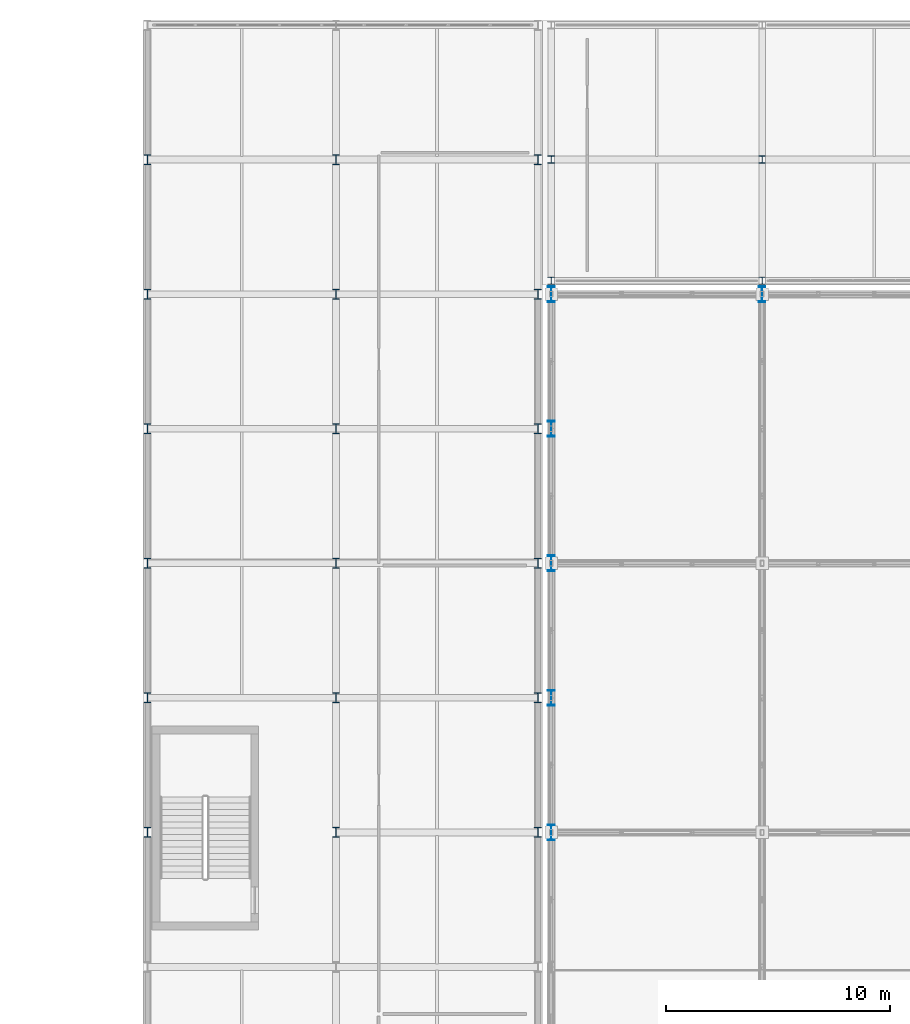
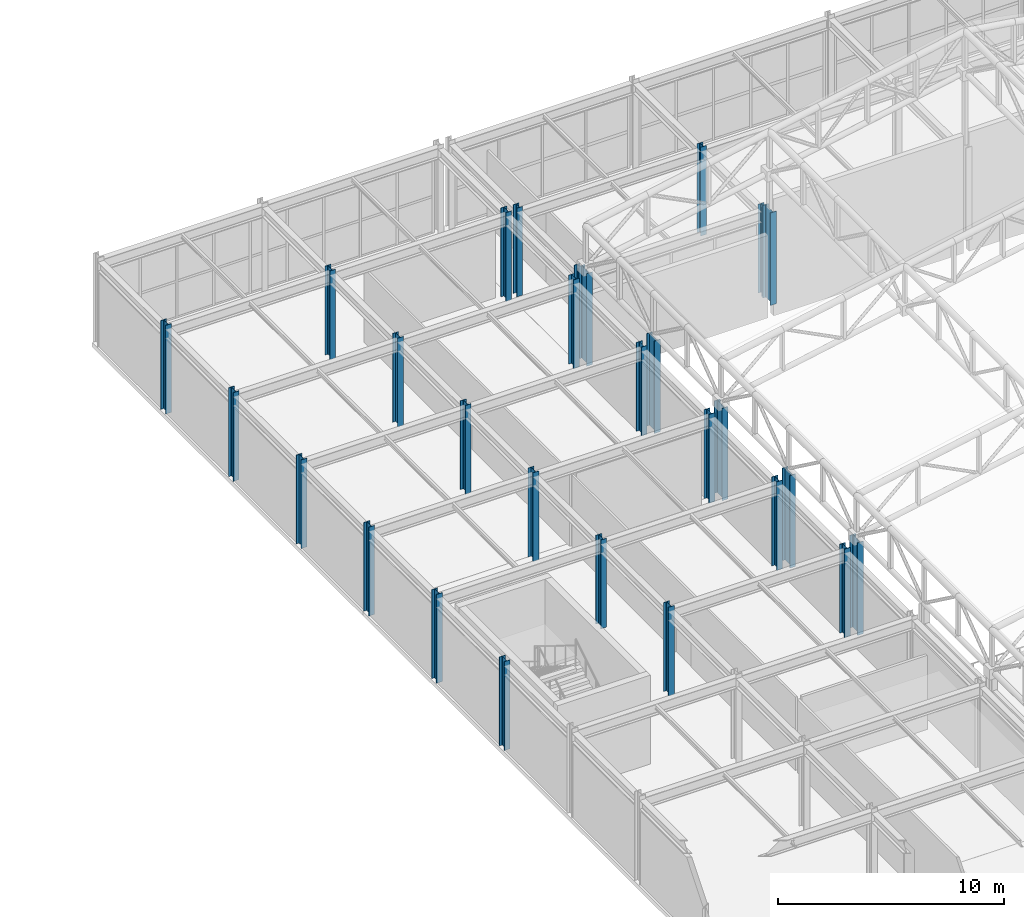
# One storey, part 7 of 112: 28 columns.
"""IFC4 building model written with IfcOpenShell, lengths in metres."""

import ifcopenshell
import ifcopenshell.guid

model = None  # the IFC model being written
_history = None  # IfcOwnerHistory: only IFC2X3 demands one
_inside = {}  # id of a spatial element -> (the spatial element, [elements in it])
_under = {}  # id of a project, library or spatial element -> (it, [spatial elements below it])
_declared = {}  # id of a project -> (the project, [libraries it declares])
_typed = {}  # id of a type object -> (the type object, [elements of that type])
_made_of = {}  # id of a material, layer set ... -> (it, [elements and type objects made of it])


def new_model(schema):
    """Start an empty IFC model of exactly this schema.

    Asked for "IFC4X3", IfcOpenShell would pick the latest addendum, in which some entities
    have other attributes; the version numbers below select the first issue.
    IFC2X3 requires an IfcOwnerHistory on every rooted entity: one is made here for all.
    """
    global model, _history
    if schema == "IFC4X3":
        model = ifcopenshell.file(schema_version=(4, 3, 0, 0))
    else:
        model = ifcopenshell.file(schema=schema)
    _inside.clear()
    _under.clear()
    _declared.clear()
    _typed.clear()
    _made_of.clear()
    _history = None
    if model.schema == "IFC2X3":
        org = make("IfcOrganization", Name="unknown")
        user = make(
            "IfcPersonAndOrganization",
            ThePerson=make("IfcPerson", FamilyName="unknown"),
            TheOrganization=org,
        )
        app = make(
            "IfcApplication",
            ApplicationDeveloper=org,
            Version="unknown",
            ApplicationFullName="unknown",
            ApplicationIdentifier="unknown",
        )
        _history = make(
            "IfcOwnerHistory",
            OwningUser=user,
            OwningApplication=app,
            ChangeAction="ADDED",
            CreationDate=0,
        )
    return model


def make(cls, **values):
    """One entity of the class cls with the attributes given. An attribute that is None is left unset."""
    return model.create_entity(
        cls, **{name: value for name, value in values.items() if value is not None}
    )


def rooted(cls, **values):
    """An entity with a GlobalId (a new one), such as an element, a storey or a relation."""
    return make(cls, GlobalId=ifcopenshell.guid.new(), OwnerHistory=_history, **values)


def si_unit(unit_type, name, prefix=None):
    """IfcSIUnit, for example si_unit("LENGTHUNIT", "METRE", prefix="MILLI")."""
    return make("IfcSIUnit", UnitType=unit_type, Prefix=prefix, Name=name)


def assignment(units):
    """IfcUnitAssignment: the units of a project."""
    return None if units is None else make("IfcUnitAssignment", Units=units)


def point(xyz):
    """IfcCartesianPoint."""
    return None if xyz is None else make("IfcCartesianPoint", Coordinates=xyz)


def direction(xyz):
    """IfcDirection."""
    return None if xyz is None else make("IfcDirection", DirectionRatios=xyz)


def frame(location, z_axis=None, x_axis=None):
    """IfcAxis2Placement3D, a coordinate frame: its origin and axes. An axis left out is left unset."""
    return make(
        "IfcAxis2Placement3D",
        Location=point(location),
        Axis=direction(z_axis),
        RefDirection=direction(x_axis),
    )


def frame_2d(location, x_axis=None):
    """IfcAxis2Placement2D, a coordinate frame in the plane: its origin and x axis."""
    return make(
        "IfcAxis2Placement2D", Location=point(location), RefDirection=direction(x_axis)
    )


def origin():
    """The frame at (0, 0, 0) with its axes left unset."""
    return frame((0.0, 0.0, 0.0))


def origin_2d():
    """The frame at (0, 0) in the plane with its x axis left unset."""
    return frame_2d((0.0, 0.0))


def place(relative_to, where):
    """IfcLocalPlacement: puts the frame where relative to a parent placement (None: the world)."""
    return make(
        "IfcLocalPlacement", PlacementRelTo=relative_to, RelativePlacement=where
    )


def context(
    kind, dimensions, precision=None, world=None, true_north=None, identifier=None
):
    """IfcGeometricRepresentationContext, for example the 3D "Model" context."""
    return make(
        "IfcGeometricRepresentationContext",
        ContextIdentifier=identifier,
        ContextType=kind,
        CoordinateSpaceDimension=dimensions,
        Precision=precision,
        WorldCoordinateSystem=world,
        TrueNorth=true_north,
    )


def subcontext(parent, identifier, kind, view, scale=None):
    """IfcGeometricRepresentationSubContext, for example "Body" below "Model"."""
    return make(
        "IfcGeometricRepresentationSubContext",
        ContextIdentifier=identifier,
        ContextType=kind,
        ParentContext=parent,
        TargetScale=scale,
        TargetView=view,
    )


def project(units=None, contexts=None):
    """IfcProject with its units and contexts."""
    return rooted(
        "IfcProject",
        Name="project",
        RepresentationContexts=contexts,
        UnitsInContext=assignment(units),
    )


def spatial(cls, under=None, at=None, **own):
    """A site, building, storey or space (cls), placed at a placement, below another one or the project."""
    s = rooted(cls, ObjectPlacement=at, **own)
    if under is not None:
        _under.setdefault(under.id(), (under, []))[1].append(s)
    return s


def profile(cls, at=None, kind="AREA", **sizes):
    """A parametric profile (cls). Its sizes go by their IFC names, for example OverallWidth=200.0."""
    return make(cls, ProfileType=kind, Position=at, **sizes)


def i_section(**sizes):
    """IfcIShapeProfileDef."""
    return profile("IfcIShapeProfileDef", **sizes)


def extrude(swept, where, along, depth):
    """IfcExtrudedAreaSolid: the profile swept, set in the frame where, extruded along a direction by depth."""
    return make(
        "IfcExtrudedAreaSolid",
        SweptArea=swept,
        Position=where,
        ExtrudedDirection=direction(along),
        Depth=depth,
    )


def shape(context_of_items, identifier, shape_type, items):
    """IfcShapeRepresentation: the items that make up one representation, for example the "Body"."""
    return make(
        "IfcShapeRepresentation",
        ContextOfItems=context_of_items,
        RepresentationIdentifier=identifier,
        RepresentationType=shape_type,
        Items=items,
    )


def material(Name=None, Category=None):
    """IfcMaterial."""
    return make("IfcMaterial", Name=Name, Category=Category)


def material_profile(
    of_material, cross_section, Name=None, Category=None, Priority=None
):
    """IfcMaterialProfile: a cross section and its material."""
    return make(
        "IfcMaterialProfile",
        Name=Name,
        Material=of_material,
        Profile=cross_section,
        Priority=Priority,
        Category=Category,
    )


def profile_set(profiles, Name=None, composite=None):
    """IfcMaterialProfileSet."""
    return make(
        "IfcMaterialProfileSet",
        Name=Name,
        MaterialProfiles=profiles,
        CompositeProfile=composite,
    )


def made_of(thing, what):
    """Note that an element or type object is made of a material, layer set ...; save() writes the relation."""
    if what is not None:
        _made_of.setdefault(what.id(), (what, []))[1].append(thing)
    return thing


def type_object(cls, material=None, **own):
    """A type object (cls), such as IfcWallType, which elements share."""
    return made_of(rooted(cls, **own), material)


def element(
    cls,
    number,
    at=None,
    inside=None,
    cuts=None,
    type_object=None,
    material=None,
    context=None,
    identifier="Body",
    shape_type=None,
    held_by="IfcProductDefinitionShape",
    body=None,
    shapes=None,
    **own,
):
    """One element of the class cls, such as IfcWall. Its Tag is "e" and its number.

    at: its placement. inside: the storey or other place that contains it. cuts: it is an
    opening in that element (IfcRelVoidsElement). A single representation is given by context,
    identifier, shape_type and body (its items); several are given by shapes. held_by: the class
    of the entity that holds the representations. save() writes the other relations.
    """
    e = rooted(cls, Tag="e%d" % number, ObjectPlacement=at, **own)
    if body is not None:
        shapes = [shape(context, identifier, shape_type, body)]
    if shapes is not None:
        e.Representation = make(held_by, Representations=shapes)
    if inside is not None:
        _inside.setdefault(inside.id(), (inside, []))[1].append(e)
    if cuts is not None:
        rooted(
            "IfcRelVoidsElement", RelatingBuildingElement=cuts, RelatedOpeningElement=e
        )
    if type_object is not None:
        _typed.setdefault(type_object.id(), (type_object, []))[1].append(e)
    return made_of(e, material)


def aggregate(whole, parts):
    """IfcRelAggregates: a whole, such as a stair, and the parts it consists of."""
    return rooted("IfcRelAggregates", RelatingObject=whole, RelatedObjects=parts)


def save(model, path):
    """Write the relations noted so far, then the file.

    IfcRelAggregates (storeys below a building ...), IfcRelContainedInSpatialStructure (elements
    in a storey), IfcRelDefinesByType, IfcRelAssociatesMaterial and IfcRelDeclares: one each for
    every whole, place, type object, material and project.
    """
    for whole, parts in _under.values():
        aggregate(whole, parts)
    for where, things in _inside.values():
        rooted(
            "IfcRelContainedInSpatialStructure",
            RelatedElements=things,
            RelatingStructure=where,
        )
    for kind, things in _typed.values():
        rooted("IfcRelDefinesByType", RelatedObjects=things, RelatingType=kind)
    for what, things in _made_of.values():
        rooted("IfcRelAssociatesMaterial", RelatedObjects=things, RelatingMaterial=what)
    for by, libraries in _declared.values():
        rooted("IfcRelDeclares", RelatingContext=by, RelatedDefinitions=libraries)
    model.write(path)


model = new_model("IFC4")

# Units and contexts
model_context = context("Model", 3, precision=1e-05, world=origin(), true_north=direction((0.0, 1.0)))
body_context = subcontext(model_context, "Body", "Model", "MODEL_VIEW")
ifc_project = project(units=[si_unit("LENGTHUNIT", "METRE"), si_unit("AREAUNIT", "SQUARE_METRE"), si_unit("VOLUMEUNIT", "CUBIC_METRE"), si_unit("PLANEANGLEUNIT", "RADIAN"), si_unit("MASSUNIT", "GRAM", prefix="KILO")], contexts=[model_context])

# Site, building, storey
site_placement = place(None, origin())
site = spatial("IfcSite", under=ifc_project, at=site_placement, CompositionType="ELEMENT")
building_placement = place(site_placement, origin())
building = spatial("IfcBuilding", under=site, at=building_placement, Name="Kaldris Quays Convention Centre", CompositionType="ELEMENT")
storey_placement = place(building_placement, frame((0.0, 0.0, 16.800048828125)))
storey = spatial("IfcBuildingStorey", under=building, at=storey_placement, Name="L03", CompositionType="ELEMENT", Elevation=16.800048828125)

# Columns
ifc_material = material(Name="Steel S355J2", Category="steel")
ifc_material_profile_1 = material_profile(ifc_material, i_section(OverallWidth=0.300048828125, OverallDepth=0.699951171875, WebThickness=0.01708984375, FlangeThickness=0.031982421875, FilletRadius=0.027099609375, at=origin_2d()), Name="HEB 700")
ifc_profile_set_1 = profile_set([ifc_material_profile_1], Name="Steel S355J2")
column_type_1 = type_object("IfcColumnType", Name="STRUCTURAL COLUMN CL05", PredefinedType="COLUMN", material=ifc_profile_set_1)
for number, where, z_axis, x_axis, name in (
    (1, (164.60009765625, 80.0, 0.0), (0.0, 0.0, 1.0), (1.0, 0.0, 0.0), "L03 V2 Column CL05 (164.60, 80.00)"),
    (2, (164.60009765625, 86.0, 0.0), (0.0, 0.0, 1.0), (1.0, 0.0, 0.0), "L03 V2 Column CL05 (164.60, 86.00)"),
    (3, (164.60009765625, 92.0, 0.0), (0.0, 0.0, 1.0), (1.0, 0.0, 0.0), "L03 V2 Column CL05 (164.60, 92.00)"),
    (4, (164.60009765625, 98.0, 0.0), (0.0, 0.0, 1.0), (1.0, 0.0, 0.0), "L03 V2 Column CL05 (164.60, 98.00)"),
    (5, (164.60009765625, 104.0, 0.0), (0.0, 0.0, 1.0), (1.0, 0.0, 0.0), "L03 V2 Column CL05 (164.60, 104.00)"),
    (6, (174.0, 104.0, 0.0), (0.0, 0.0, 1.0), (1.0, 0.0, 0.0), "L03 V2 Column CL05 (174.00, 104.00)"),
):
    element("IfcColumn", number, at=place(storey_placement, frame(where, z_axis=z_axis, x_axis=x_axis)), inside=storey, type_object=column_type_1, Name=name, PredefinedType="COLUMN", context=body_context, shape_type="SweptSolid", body=[
        extrude(i_section(OverallWidth=0.300048828125, OverallDepth=0.699951171875, WebThickness=0.01708984375, FlangeThickness=0.031982421875, FilletRadius=0.027099609375, at=origin_2d()), origin(), (0.0, 0.0, 1.0), 5.0),
    ])
ifc_material_profile_2 = material_profile(ifc_material, i_section(OverallWidth=0.300048828125, OverallDepth=0.449951171875, WebThickness=0.013916015625, FlangeThickness=0.02587890625, FilletRadius=0.027099609375, at=origin_2d()), Name="HEB 450")
ifc_profile_set_2 = profile_set([ifc_material_profile_2], Name="Steel S355J2")
column_type_2 = type_object("IfcColumnType", Name="STRUCTURAL COLUMN CL08", PredefinedType="COLUMN", material=ifc_profile_set_2)
for number, where, z_axis, x_axis, name in (
    (7, (146.60009765625, 80.0, 0.0), (0.0, 0.0, 1.0), (1.0, 0.0, 0.0), "L03 V4 Column CL08 (146.60, 80.00)"),
    (8, (146.60009765625, 86.0, 0.0), (0.0, 0.0, 1.0), (1.0, 0.0, 0.0), "L03 V4 Column CL08 (146.60, 86.00)"),
    (9, (146.60009765625, 92.0, 0.0), (0.0, 0.0, 1.0), (1.0, 0.0, 0.0), "L03 V4 Column CL08 (146.60, 92.00)"),
    (10, (146.60009765625, 98.0, 0.0), (0.0, 0.0, 1.0), (1.0, 0.0, 0.0), "L03 V4 Column CL08 (146.60, 98.00)"),
    (11, (146.60009765625, 104.0, 0.0), (0.0, 0.0, 1.0), (1.0, 0.0, 0.0), "L03 V4 Column CL08 (146.60, 104.00)"),
    (12, (146.60009765625, 110.0, 0.0), (0.0, 0.0, 1.0), (1.0, 0.0, 0.0), "L03 V4 Column CL08 (146.60, 110.00)"),
    (13, (155.0, 80.0, 0.0), (0.0, 0.0, 1.0), (1.0, 0.0, 0.0), "L03 V4 Column CL08 (155.00, 80.00)"),
    (14, (155.0, 86.0, 0.0), (0.0, 0.0, 1.0), (1.0, 0.0, 0.0), "L03 V4 Column CL08 (155.00, 86.00)"),
    (15, (155.0, 92.0, 0.0), (0.0, 0.0, 1.0), (1.0, 0.0, 0.0), "L03 V4 Column CL08 (155.00, 92.00)"),
    (16, (155.0, 98.0, 0.0), (0.0, 0.0, 1.0), (1.0, 0.0, 0.0), "L03 V4 Column CL08 (155.00, 98.00)"),
    (17, (155.0, 104.0, 0.0), (0.0, 0.0, 1.0), (1.0, 0.0, 0.0), "L03 V4 Column CL08 (155.00, 104.00)"),
    (18, (155.0, 110.0, 0.0), (0.0, 0.0, 1.0), (1.0, 0.0, 0.0), "L03 V4 Column CL08 (155.00, 110.00)"),
    (19, (164.0, 80.0, 0.0), (0.0, 0.0, 1.0), (1.0, 0.0, 0.0), "L03 V4 Column CL08 (164.00, 80.00)"),
    (20, (164.0, 86.0, 0.0), (0.0, 0.0, 1.0), (1.0, 0.0, 0.0), "L03 V4 Column CL08 (164.00, 86.00)"),
    (21, (164.0, 92.0, 0.0), (0.0, 0.0, 1.0), (1.0, 0.0, 0.0), "L03 V4 Column CL08 (164.00, 92.00)"),
    (22, (164.0, 98.0, 0.0), (0.0, 0.0, 1.0), (1.0, 0.0, 0.0), "L03 V4 Column CL08 (164.00, 98.00)"),
    (23, (164.0, 104.0, 0.0), (0.0, 0.0, 1.0), (1.0, 0.0, 0.0), "L03 V4 Column CL08 (164.00, 104.00)"),
    (24, (164.0, 110.0, 0.0), (0.0, 0.0, 1.0), (1.0, 0.0, 0.0), "L03 V4 Column CL08 (164.00, 110.00)"),
):
    element("IfcColumn", number, at=place(storey_placement, frame(where, z_axis=z_axis, x_axis=x_axis)), inside=storey, type_object=column_type_2, Name=name, PredefinedType="COLUMN", context=body_context, shape_type="SweptSolid", body=[
        extrude(i_section(OverallWidth=0.300048828125, OverallDepth=0.449951171875, WebThickness=0.013916015625, FlangeThickness=0.02587890625, FilletRadius=0.027099609375, at=origin_2d()), origin(), (0.0, 0.0, 1.0), 4.800048828125),
    ])
ifc_material_profile_3 = material_profile(ifc_material, i_section(OverallWidth=0.300048828125, OverallDepth=0.330078125, WebThickness=0.009521484375, FlangeThickness=0.0166015625, FilletRadius=0.027099609375, at=origin_2d()), Name="HEA 340")
ifc_profile_set_3 = profile_set([ifc_material_profile_3], Name="Steel S355J2")
column_type_3 = type_object("IfcColumnType", Name="STRUCTURAL COLUMN CL16", PredefinedType="COLUMN", material=ifc_profile_set_3)
for number, where, z_axis, x_axis, name in (
    (25, (164.60009765625, 104.60009765625, 0.0), (0.0, 0.0, 1.0), (1.0, 0.0, 0.0), "L03 V4 Column CL16 (164.60, 104.60)"),
    (26, (164.60009765625, 110.0, 0.0), (0.0, 0.0, 1.0), (1.0, 0.0, 0.0), "L03 V4 Column CL16 (164.60, 110.00)"),
    (27, (174.0, 104.60009765625, 0.0), (0.0, 0.0, 1.0), (1.0, 0.0, 0.0), "L03 V4 Column CL16 (174.00, 104.60)"),
    (28, (174.0, 110.0, 0.0), (0.0, 0.0, 1.0), (1.0, 0.0, 0.0), "L03 V4 Column CL16 (174.00, 110.00)"),
):
    element("IfcColumn", number, at=place(storey_placement, frame(where, z_axis=z_axis, x_axis=x_axis)), inside=storey, type_object=column_type_3, Name=name, PredefinedType="COLUMN", context=body_context, shape_type="SweptSolid", body=[
        extrude(i_section(OverallWidth=0.300048828125, OverallDepth=0.330078125, WebThickness=0.009521484375, FlangeThickness=0.0166015625, FilletRadius=0.027099609375, at=origin_2d()), origin(), (0.0, 0.0, 1.0), 4.800048828125),
    ])

save(model, "model.ifc")
